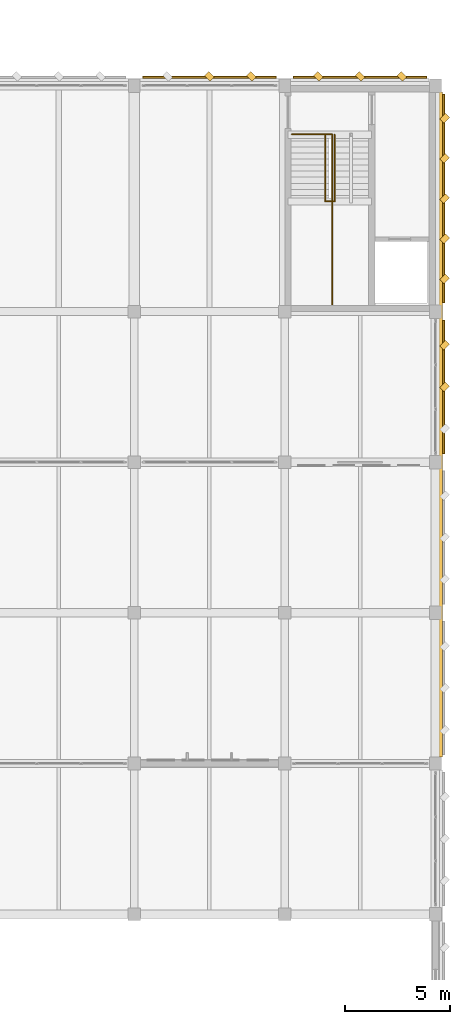
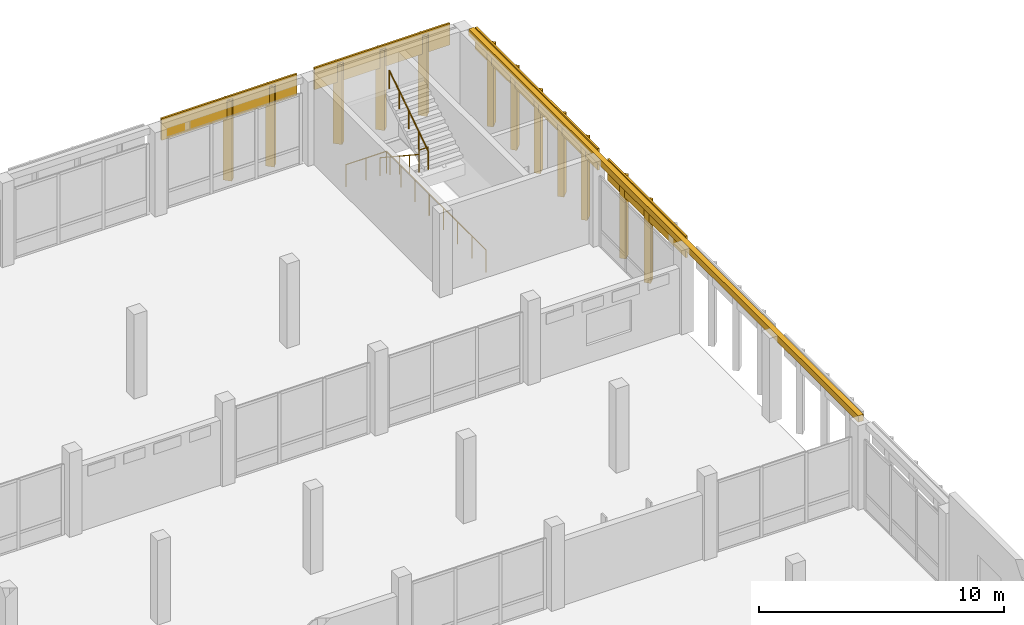
# One storey, part 157 of 158: 17 coverings, 4 railings.
"""IFC4 building model written with IfcOpenShell, lengths in metres."""

from ifc_helpers import new_model, si_unit, direction, frame, origin, origin_2d, place, context, subcontext, project, spatial, rectangle, circle, extrude, material, layer, layer_set, type_object, element, save


model = new_model("IFC4")

# Units and contexts
model_context = context("Model", 3, precision=1e-05, world=origin(), true_north=direction((0.0, 1.0)))
body_context = subcontext(model_context, "Body", "Model", "MODEL_VIEW")
ifc_project = project(units=[si_unit("LENGTHUNIT", "METRE"), si_unit("AREAUNIT", "SQUARE_METRE"), si_unit("VOLUMEUNIT", "CUBIC_METRE"), si_unit("PLANEANGLEUNIT", "RADIAN"), si_unit("MASSUNIT", "GRAM", prefix="KILO")], contexts=[model_context])

# Site, building, storey
site_placement = place(None, origin())
site = spatial("IfcSite", under=ifc_project, at=site_placement, CompositionType="ELEMENT")
building_placement = place(site_placement, origin())
building = spatial("IfcBuilding", under=site, at=building_placement, Name="Lusvemor Sports Hall", CompositionType="ELEMENT")
storey_placement = place(building_placement, frame((0.0, 0.0, 10.800048828125)))
storey = spatial("IfcBuildingStorey", under=building, at=storey_placement, Name="L02", CompositionType="ELEMENT", Elevation=10.800048828125)

# Coverings
ifc_material_1 = material(Name="Precast granite-faced Concrete C40/50 architectural cladding", Category="masonry")
ifc_layer_1 = layer(ifc_material_1, 0.055908203125)
ifc_layer_set_1 = layer_set([ifc_layer_1], Name="Precast granite-faced Concrete C40/50 architectural cladding")
covering_type_1 = type_object("IfcCoveringType", Name="CLAD_RELIEF_FRIEZE", PredefinedType="CLADDING", material=ifc_layer_set_1)
covering_1_placement = place(storey_placement, frame((169.419921875, 99.0, 3.8798828125), z_axis=(0.0, 0.0, 1.0), x_axis=(1.0, 0.0, 0.0)))
element("IfcCovering", 1, at=covering_1_placement, inside=storey, type_object=covering_type_1, Name="Art Nouveau Sculpted Roofline Cornice 488", PredefinedType="CLADDING", context=body_context, shape_type="SweptSolid", body=[
    extrude(rectangle(XDim=0.239990234375, YDim=31.800048828125, at=origin_2d()), origin(), (0.0, 0.0, 1.0), 0.320068359375),
])
ifc_material_2 = material(Name="Emerald polychrome glazed ceramic cladding on Concrete C40/50 backing", Category="concrete")
ifc_layer_2 = layer(ifc_material_2, 0.0458984375)
ifc_layer_set_2 = layer_set([ifc_layer_2], Name="Emerald polychrome glazed ceramic cladding on Concrete C40/50 backing")
covering_type_2 = type_object("IfcCoveringType", Name="CLAD_WAVE_EMERALD", PredefinedType="CLADDING", material=ifc_layer_set_2)
for number, where, z_axis, x_axis, name in (
    (2, (169.639892578125, 100.800048828125, 0.099853515625), (0.0, 0.0, 1.0), (0.707106781187, 0.707106781187, 0.0), "Patterned Diamond Cladding Rib 468"),
    (3, (169.639892578125, 107.8798828125, 0.099853515625), (0.0, 0.0, 1.0), (0.707106781187, 0.707106781187, 0.0), "Patterned Diamond Cladding Rib 484"),
    (4, (169.639892578125, 111.719970703125, 0.099853515625), (0.0, 0.0, 1.0), (0.707106781187, 0.707106781187, 0.0), "Patterned Diamond Cladding Rib 486"),
):
    element("IfcCovering", number, at=place(storey_placement, frame(where, z_axis=z_axis, x_axis=x_axis)), inside=storey, type_object=covering_type_2, Name=name, PredefinedType="CLADDING", context=body_context, shape_type="SweptSolid", body=[
        extrude(rectangle(XDim=0.3798828125, YDim=0.280029296875, at=origin_2d()), origin(), (0.0, 0.0, 1.0), 4.0),
    ])
for number, where, z_axis, x_axis, name in (
    (5, (158.39990234375, 115.639892578125, 0.099853515625), (0.0, 0.0, 1.0), (0.707106781187, 0.707106781187, 0.0), "Patterned Diamond Cladding Rib 880"),
    (6, (165.60009765625, 115.639892578125, 0.099853515625), (0.0, 0.0, 1.0), (0.707106781187, 0.707106781187, 0.0), "Patterned Diamond Cladding Rib 892"),
):
    element("IfcCovering", number, at=place(storey_placement, frame(where, z_axis=z_axis, x_axis=x_axis)), inside=storey, type_object=covering_type_2, Name=name, PredefinedType="CLADDING", context=body_context, shape_type="SweptSolid", body=[
        extrude(rectangle(XDim=0.280029296875, YDim=0.3798828125, at=origin_2d()), origin(), (0.0, 0.0, 1.0), 4.0),
    ])
ifc_material_3 = material(Name="Warm terracotta Art Nouveau ceramic cladding on Concrete C40/50 backing", Category="masonry")
ifc_layer_3 = layer(ifc_material_3, 0.0380859375)
ifc_layer_set_3 = layer_set([ifc_layer_3], Name="Warm terracotta Art Nouveau ceramic cladding on Concrete C40/50 backing")
covering_type_3 = type_object("IfcCoveringType", Name="CLAD_WAVE_OCHRE", PredefinedType="CLADDING", material=ifc_layer_set_3)
covering_2_placement = place(storey_placement, frame((169.590087890625, 100.800048828125, 3.179931640625), z_axis=(0.0, 0.0, 1.0), x_axis=(1.0, 0.0, 0.0)))
element("IfcCovering", 7, at=covering_2_placement, inside=storey, type_object=covering_type_3, Name="Art Nouveau Spandrel Cornice 466", PredefinedType="CLADDING", context=body_context, shape_type="SweptSolid", body=[
    extrude(rectangle(XDim=0.090087890625, YDim=6.3798828125, at=origin_2d()), origin(), (0.0, 0.0, 1.0), 1.080078125),
])
covering_3_placement = place(storey_placement, frame((169.590087890625, 109.800048828125, 3.179931640625), z_axis=(0.0, 0.0, 1.0), x_axis=(1.0, 0.0, 0.0)))
element("IfcCovering", 8, at=covering_3_placement, inside=storey, type_object=covering_type_3, Name="Art Nouveau Spandrel Cornice 482", PredefinedType="CLADDING", context=body_context, shape_type="SweptSolid", body=[
    extrude(rectangle(XDim=0.090087890625, YDim=9.97998046875, at=origin_2d()), origin(), (0.0, 0.0, 1.0), 1.080078125),
])
for number, where, z_axis, x_axis, name in (
    (9, (158.39990234375, 115.590087890625, 3.179931640625), (0.0, 0.0, 1.0), (1.0, 0.0, 0.0), "Art Nouveau Spandrel Cornice 878"),
    (10, (165.60009765625, 115.590087890625, 3.179931640625), (0.0, 0.0, 1.0), (1.0, 0.0, 0.0), "Art Nouveau Spandrel Cornice 890"),
):
    element("IfcCovering", number, at=place(storey_placement, frame(where, z_axis=z_axis, x_axis=x_axis)), inside=storey, type_object=covering_type_3, Name=name, PredefinedType="CLADDING", context=body_context, shape_type="SweptSolid", body=[
        extrude(rectangle(XDim=6.3798828125, YDim=0.090087890625, at=origin_2d()), origin(), (0.0, 0.0, 1.0), 1.080078125),
    ])
ifc_material_4 = material(Name="Warm terracotta Art Nouveau ceramic cladding on Concrete C40/50 backing", Category="masonry")
ifc_layer_4 = layer(ifc_material_4, 0.449951171875)
ifc_layer_set_4 = layer_set([ifc_layer_4], Name="Warm terracotta Art Nouveau ceramic cladding on Concrete C40/50 backing")
covering_type_4 = type_object("IfcCoveringType", Name="FIN_BRISE_CER_450", PredefinedType="MOLDING", material=ifc_layer_set_4)
for number, where, z_axis, x_axis, name in (
    (11, (169.639892578125, 102.800048828125, 0.099853515625), (0.0, 0.0, 1.0), (0.707106781187, 0.707106781187, 0.0), "Patterned Diamond Cladding Rib 469"),
    (12, (169.639892578125, 105.9599609375, 0.099853515625), (0.0, 0.0, 1.0), (0.707106781187, 0.707106781187, 0.0), "Patterned Diamond Cladding Rib 483"),
    (13, (169.639892578125, 109.800048828125, 0.099853515625), (0.0, 0.0, 1.0), (0.707106781187, 0.707106781187, 0.0), "Patterned Diamond Cladding Rib 485"),
    (14, (169.639892578125, 113.639892578125, 0.099853515625), (0.0, 0.0, 1.0), (0.707106781187, 0.707106781187, 0.0), "Patterned Diamond Cladding Rib 487"),
):
    element("IfcCovering", number, at=place(storey_placement, frame(where, z_axis=z_axis, x_axis=x_axis)), inside=storey, type_object=covering_type_4, Name=name, PredefinedType="MOLDING", context=body_context, shape_type="SweptSolid", body=[
        extrude(rectangle(XDim=0.3798828125, YDim=0.280029296875, at=origin_2d()), origin(), (0.0, 0.0, 1.0), 4.0),
    ])
for number, where, z_axis, x_axis, name in (
    (15, (160.39990234375, 115.639892578125, 0.099853515625), (0.0, 0.0, 1.0), (0.707106781187, 0.707106781187, 0.0), "Patterned Diamond Cladding Rib 881"),
    (16, (163.60009765625, 115.639892578125, 0.099853515625), (0.0, 0.0, 1.0), (0.707106781187, 0.707106781187, 0.0), "Patterned Diamond Cladding Rib 891"),
    (17, (167.60009765625, 115.639892578125, 0.099853515625), (0.0, 0.0, 1.0), (0.707106781187, 0.707106781187, 0.0), "Patterned Diamond Cladding Rib 893"),
):
    element("IfcCovering", number, at=place(storey_placement, frame(where, z_axis=z_axis, x_axis=x_axis)), inside=storey, type_object=covering_type_4, Name=name, PredefinedType="MOLDING", context=body_context, shape_type="SweptSolid", body=[
        extrude(rectangle(XDim=0.280029296875, YDim=0.3798828125, at=origin_2d()), origin(), (0.0, 0.0, 1.0), 4.0),
    ])

# Railings
ifc_material_5 = material(Name="Bronze-finished wrought-steel Art Nouveau balustrade", Category="steel")
railing_type_1 = type_object("IfcRailingType", Name="RAIL_HANDRAIL_092", PredefinedType="HANDRAIL", material=ifc_material_5)
railing_1_placement = place(storey_placement, frame((163.93994140625, 112.85009765625, 0.0)))
element("IfcRailing", 18, at=railing_1_placement, inside=storey, type_object=railing_type_1, Name="Stair STR-C5-L02 Handrail F1", PredefinedType="HANDRAIL", context=body_context, shape_type="SweptSolid", body=[
    extrude(circle(Radius=0.02392578125, at=origin_2d()), frame((0.0, 0.0, 0.89599609375), z_axis=(0.0, -0.835291159344, 0.549807856548), x_axis=(1.0, 0.0, 0.0)), (0.0, 0.0, 1.0), 3.8193359375),
    extrude(circle(Radius=0.02099609375, at=origin_2d()), origin(), (0.0, 0.0, 1.0), 0.871826171875),
    extrude(circle(Radius=0.02099609375, at=origin_2d()), frame((0.0, -0.797607421875, 0.52490234375)), (0.0, 0.0, 1.0), 0.871826171875),
    extrude(circle(Radius=0.02099609375, at=origin_2d()), frame((0.0, -1.59521484375, 1.0498046875)), (0.0, 0.0, 1.0), 0.871826171875),
    extrude(circle(Radius=0.02099609375, at=origin_2d()), frame((0.0, -2.392578125, 1.574951171875)), (0.0, 0.0, 1.0), 0.871826171875),
    extrude(circle(Radius=0.02099609375, at=origin_2d()), frame((0.0, -3.190185546875, 2.099853515625)), (0.0, 0.0, 1.0), 0.871826171875),
])
railing_2_placement = place(storey_placement, frame((164.3798828125, 109.659912109375, 2.099853515625)))
element("IfcRailing", 19, at=railing_2_placement, inside=storey, type_object=railing_type_1, Name="Stair STR-C5-L02 Handrail F2", PredefinedType="HANDRAIL", context=body_context, shape_type="SweptSolid", body=[
    extrude(circle(Radius=0.02392578125, at=origin_2d()), frame((0.0, 0.0, 0.89599609375), z_axis=(0.0, 0.835261802243, 0.549852454495), x_axis=(-1.0, 0.0, 0.0)), (0.0, 0.0, 1.0), 3.8193359375),
    extrude(circle(Radius=0.02099609375, at=origin_2d()), origin(), (0.0, 0.0, 1.0), 0.871826171875),
    extrude(circle(Radius=0.02099609375, at=origin_2d()), frame((0.0, 0.797607421875, 0.52490234375)), (0.0, 0.0, 1.0), 0.871826171875),
    extrude(circle(Radius=0.02099609375, at=origin_2d()), frame((0.0, 1.59521484375, 1.050048828125)), (0.0, 0.0, 1.0), 0.871826171875),
    extrude(circle(Radius=0.02099609375, at=origin_2d()), frame((0.0, 2.392578125, 1.5751953125)), (0.0, 0.0, 1.0), 0.871826171875),
    extrude(circle(Radius=0.02099609375, at=origin_2d()), frame((0.0, 3.190185546875, 2.10009765625)), (0.0, 0.0, 1.0), 0.871826171875),
])
ifc_material_6 = material(Name="Bronze-finished wrought-steel Art Nouveau balustrade", Category="steel")
railing_type_2 = type_object("IfcRailingType", Name="RAIL_STAIR_GUARD_112", PredefinedType="GUARDRAIL", material=ifc_material_6)
railing_3_placement = place(storey_placement, frame((162.340087890625, 112.8701171875, 0.0)))
element("IfcRailing", 20, at=railing_3_placement, inside=storey, type_object=railing_type_2, Name="Stairwell C5 Top Guard (L02)", PredefinedType="GUARDRAIL", context=body_context, shape_type="SweptSolid", body=[
    extrude(circle(Radius=0.02392578125, at=origin_2d()), frame((0.0, 0.0, 1.09619140625), z_axis=(1.0, 0.0, 0.0), x_axis=(0.0, 1.0, 0.0)), (0.0, 0.0, 1.0), 1.919921875),
    extrude(circle(Radius=0.02392578125, at=origin_2d()), frame((1.919921875, 0.0, 1.09619140625), z_axis=(0.0, -1.0, 0.0), x_axis=(1.0, 0.0, 0.0)), (0.0, 0.0, 1.0), 8.130126953125),
    extrude(circle(Radius=0.02099609375, at=origin_2d()), origin(), (0.0, 0.0, 1.0), 1.072021484375),
    extrude(circle(Radius=0.02099609375, at=origin_2d()), frame((0.9599609375, 0.0, 0.0)), (0.0, 0.0, 1.0), 1.072021484375),
    extrude(circle(Radius=0.02099609375, at=origin_2d()), frame((1.919921875, 0.0, 0.0)), (0.0, 0.0, 1.0), 1.072021484375),
    extrude(circle(Radius=0.02099609375, at=origin_2d()), frame((1.919921875, -1.161376953125, 0.0)), (0.0, 0.0, 1.0), 1.072021484375),
    extrude(circle(Radius=0.02099609375, at=origin_2d()), frame((1.919921875, -2.322998046875, 0.0)), (0.0, 0.0, 1.0), 1.072021484375),
    extrude(circle(Radius=0.02099609375, at=origin_2d()), frame((1.919921875, -3.484375, 0.0)), (0.0, 0.0, 1.0), 1.072021484375),
    extrude(circle(Radius=0.02099609375, at=origin_2d()), frame((1.919921875, -4.645751953125, 0.0)), (0.0, 0.0, 1.0), 1.072021484375),
    extrude(circle(Radius=0.02099609375, at=origin_2d()), frame((1.919921875, -5.80712890625, 0.0)), (0.0, 0.0, 1.0), 1.072021484375),
    extrude(circle(Radius=0.02099609375, at=origin_2d()), frame((1.919921875, -6.96875, 0.0)), (0.0, 0.0, 1.0), 1.072021484375),
    extrude(circle(Radius=0.02099609375, at=origin_2d()), frame((1.919921875, -8.130126953125, 0.0)), (0.0, 0.0, 1.0), 1.072021484375),
])
railing_4_placement = place(storey_placement, frame((163.93994140625, 109.679931640625, 2.099853515625)))
element("IfcRailing", 21, at=railing_4_placement, inside=storey, type_object=railing_type_2, Name="Stair STR-C5-L02 Mid Well Guard", PredefinedType="GUARDRAIL", context=body_context, shape_type="SweptSolid", body=[
    extrude(circle(Radius=0.02392578125, at=origin_2d()), frame((0.0, 0.0, 1.09619140625), z_axis=(1.0, 0.0, 0.0), x_axis=(0.0, 1.0, 0.0)), (0.0, 0.0, 1.0), 0.43994140625),
    extrude(circle(Radius=0.02099609375, at=origin_2d()), origin(), (0.0, 0.0, 1.0), 1.072021484375),
    extrude(circle(Radius=0.02099609375, at=origin_2d()), frame((0.43994140625, 0.0, 0.0)), (0.0, 0.0, 1.0), 1.072021484375),
])

save(model, "model.ifc")
